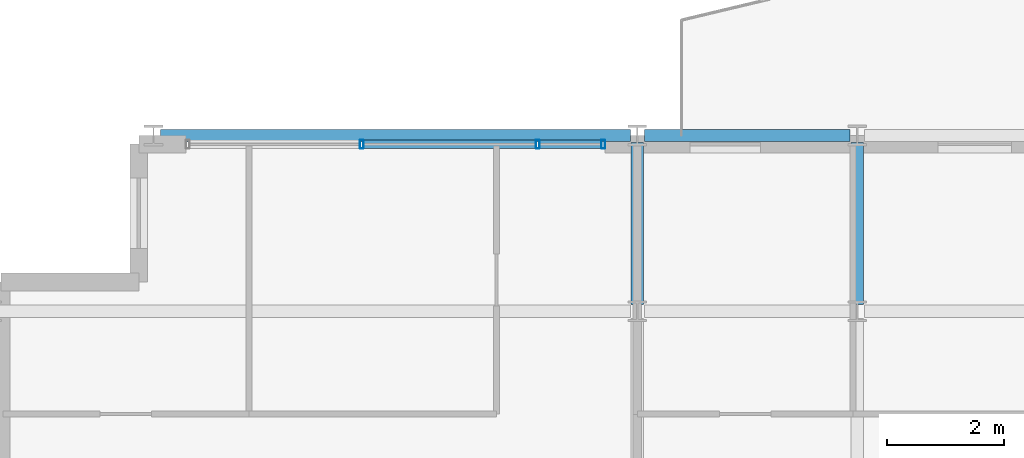
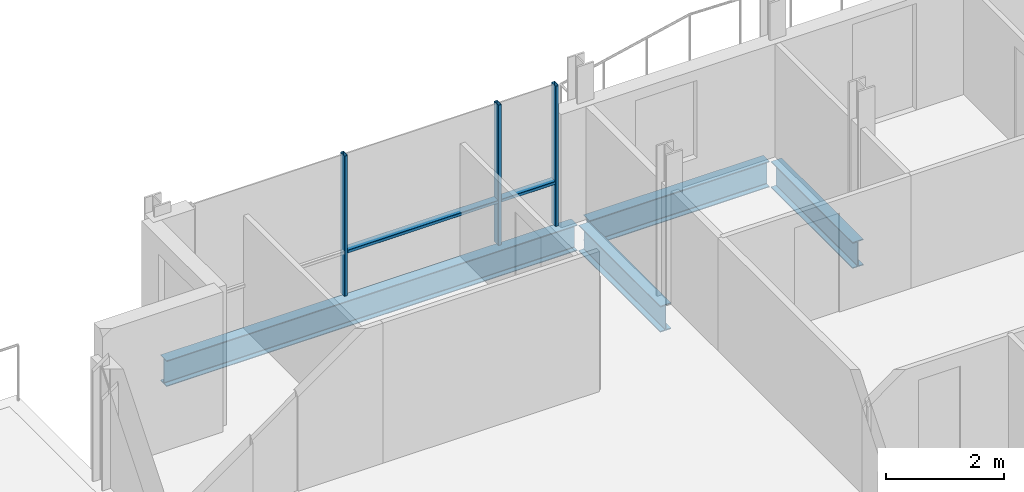
# One storey, part 7 of 17: 5 members, 4 beams, 1 element without a shape of its own.
"""IFC4 building model written with IfcOpenShell, lengths in metres."""

from ifc_helpers import new_model, si_unit, direction, frame, origin, origin_2d, place, context, subcontext, project, spatial, hollow_rectangle, i_section, extrude, material, layer, layer_set, material_profile, profile_set, type_object, element, aggregate, save


model = new_model("IFC4")

# Units and contexts
model_context = context("Model", 3, precision=1e-05, world=origin(), true_north=direction((0.0, 1.0)))
body_context = subcontext(model_context, "Body", "Model", "MODEL_VIEW")
ifc_project = project(units=[si_unit("LENGTHUNIT", "METRE"), si_unit("AREAUNIT", "SQUARE_METRE"), si_unit("VOLUMEUNIT", "CUBIC_METRE"), si_unit("PLANEANGLEUNIT", "RADIAN"), si_unit("MASSUNIT", "GRAM", prefix="KILO")], contexts=[model_context])

# Site, building, storey
site_placement = place(None, origin())
site = spatial("IfcSite", under=ifc_project, at=site_placement, CompositionType="ELEMENT")
building_placement = place(site_placement, origin())
building = spatial("IfcBuilding", under=site, at=building_placement, Name="Brevholm Reach", CompositionType="ELEMENT")
storey_placement = place(building_placement, frame((0.0, 0.0, 221.10009765625)))
storey = spatial("IfcBuildingStorey", under=building, at=storey_placement, Name="L67", CompositionType="ELEMENT", Elevation=221.10009765625)

# Beams
ifc_material_1 = material(Name="Structural Steel S355J2", Category="steel")
ifc_material_profile_1 = material_profile(ifc_material_1, i_section(OverallWidth=0.209228515625, OverallDepth=0.533203125, WebThickness=0.010009765625, FlangeThickness=0.015625, FilletRadius=0.0126953125, at=origin_2d()), Name="UKB 533x210x92")
ifc_profile_set_1 = profile_set([ifc_material_profile_1], Name="Structural Steel S355J2")
beam_type_1 = type_object("IfcBeamType", Name="BM-SP533", PredefinedType="SPANDREL", material=ifc_profile_set_1)
beam_1_placement = place(storey_placement, frame((30.1201171875, 26.5, -0.4765625), z_axis=(1.0, 0.0, 0.0), x_axis=(0.0, 1.0, 0.0)))
element("IfcBeam", 1, at=beam_1_placement, inside=storey, type_object=beam_type_1, Name="L67 SP-02 Framing Beam", PredefinedType="SPANDREL", context=body_context, shape_type="SweptSolid", body=[
    extrude(i_section(OverallWidth=0.209228515625, OverallDepth=0.533203125, WebThickness=0.010009765625, FlangeThickness=0.015625, FilletRadius=0.0126953125, at=origin_2d()), origin(), (0.0, 0.0, 1.0), 8.009765625),
])
beam_2_placement = place(storey_placement, frame((38.3701171875, 26.5, -0.4765625), z_axis=(1.0, 0.0, 0.0), x_axis=(0.0, 1.0, 0.0)))
element("IfcBeam", 2, at=beam_2_placement, inside=storey, type_object=beam_type_1, Name="L67 SP-02 Framing Beam", PredefinedType="SPANDREL", context=body_context, shape_type="SweptSolid", body=[
    extrude(i_section(OverallWidth=0.209228515625, OverallDepth=0.533203125, WebThickness=0.010009765625, FlangeThickness=0.015625, FilletRadius=0.0126953125, at=origin_2d()), origin(), (0.0, 0.0, 1.0), 3.509765625),
])
ifc_material_2 = material(Name="Structural Steel S355J2", Category="steel")
ifc_material_profile_2 = material_profile(ifc_material_2, i_section(OverallWidth=0.210693359375, OverallDepth=0.53955078125, WebThickness=0.01171875, FlangeThickness=0.018798828125, FilletRadius=0.0126953125, at=origin_2d()), Name="UKB 533x210x109")
ifc_profile_set_2 = profile_set([ifc_material_profile_2], Name="Structural Steel S355J2")
beam_type_2 = type_object("IfcBeamType", Name="BM-SP539", PredefinedType="SPANDREL", material=ifc_profile_set_2)
for number, where, z_axis, x_axis, name in (
    (3, (38.25, 23.6201171875, -0.479736328125), (0.0, 1.0, 0.0), (-1.0, 0.0, 0.0), "L67 SP-01B Framing Beam"),
    (4, (42.0, 23.6201171875, -0.479736328125), (0.0, 1.0, 0.0), (-1.0, 0.0, 0.0), "L67 SP-01B Framing Beam"),
):
    element("IfcBeam", number, at=place(storey_placement, frame(where, z_axis=z_axis, x_axis=x_axis)), inside=storey, type_object=beam_type_2, Name=name, PredefinedType="SPANDREL", context=body_context, shape_type="SweptSolid", body=[
        extrude(i_section(OverallWidth=0.210693359375, OverallDepth=0.53955078125, WebThickness=0.01171875, FlangeThickness=0.018798828125, FilletRadius=0.0126953125, at=origin_2d()), origin(), (0.0, 0.0, 1.0), 2.759765625),
    ])

# Curtain wall, members
ifc_material_3 = material(Name="Dark Anodised Aluminium 6063-T6 and Solar-Control Glass", Category="aluminium")
ifc_layer = layer(ifc_material_3, 0.14990234375)
ifc_layer_set = layer_set([ifc_layer], Name="Dark Anodised Aluminium 6063-T6 and Solar-Control Glass")
curtain_wall_type = type_object("IfcCurtainWallType", Name="CW-01", PredefinedType="NOTDEFINED", material=ifc_layer_set)
curtain_wall_placement = place(storey_placement, origin())
curtain_wall = element("IfcCurtainWall", 5, at=curtain_wall_placement, inside=storey, type_object=curtain_wall_type, Name="L67 Curtain Wall CW-01", PredefinedType="NOTDEFINED")
ifc_material_4 = material(Name="Dark Anodised Aluminium 6063-T6", Category="aluminium")
ifc_material_profile_3 = material_profile(ifc_material_4, hollow_rectangle(XDim=0.06494140625, YDim=0.14990234375, WallThickness=0.0048828125, InnerFilletRadius=0.0048828125, OuterFilletRadius=0.010009765625, at=origin_2d()), Name="RHS 150x65x5")
ifc_profile_set_3 = profile_set([ifc_material_profile_3], Name="Dark Anodised Aluminium 6063-T6")
member_type_1 = type_object("IfcMemberType", Name="CWM-150", PredefinedType="MULLION", material=ifc_profile_set_3)
member_1_placement = place(storey_placement, frame((33.550048828125, 26.35009765625, 0.0), z_axis=(0.0, 0.0, 1.0), x_axis=(1.0, 0.0, 0.0)))
member_1 = element("IfcMember", 6, at=member_1_placement, type_object=member_type_1, Name="CM-150 Mullion 2", PredefinedType="MULLION", context=body_context, shape_type="SweptSolid", body=[
    extrude(hollow_rectangle(XDim=0.06494140625, YDim=0.14990234375, WallThickness=0.0048828125, InnerFilletRadius=0.0048828125, OuterFilletRadius=0.010009765625, at=origin_2d()), origin(), (0.0, 0.0, 1.0), 2.889892578125),
])
member_2_placement = place(storey_placement, frame((36.550048828125, 26.35009765625, 0.0), z_axis=(0.0, 0.0, 1.0), x_axis=(1.0, 0.0, 0.0)))
member_2 = element("IfcMember", 7, at=member_2_placement, type_object=member_type_1, Name="CM-150 Mullion 3", PredefinedType="MULLION", context=body_context, shape_type="SweptSolid", body=[
    extrude(hollow_rectangle(XDim=0.06494140625, YDim=0.14990234375, WallThickness=0.0048828125, InnerFilletRadius=0.0048828125, OuterFilletRadius=0.010009765625, at=origin_2d()), origin(), (0.0, 0.0, 1.0), 2.889892578125),
])
member_3_placement = place(storey_placement, frame((37.66748046875, 26.35009765625, 0.0), z_axis=(0.0, 0.0, 1.0), x_axis=(1.0, 0.0, 0.0)))
member_3 = element("IfcMember", 8, at=member_3_placement, type_object=member_type_1, Name="CM-150 Mullion 4", PredefinedType="MULLION", context=body_context, shape_type="SweptSolid", body=[
    extrude(hollow_rectangle(XDim=0.06494140625, YDim=0.14990234375, WallThickness=0.0048828125, InnerFilletRadius=0.0048828125, OuterFilletRadius=0.010009765625, at=origin_2d()), origin(), (0.0, 0.0, 1.0), 2.889892578125),
])
ifc_material_5 = material(Name="Dark Anodised Aluminium 6063-T6", Category="aluminium")
ifc_material_profile_4 = material_profile(ifc_material_5, hollow_rectangle(XDim=0.06494140625, YDim=0.14990234375, WallThickness=0.0048828125, InnerFilletRadius=0.0048828125, OuterFilletRadius=0.010009765625, at=origin_2d()), Name="RHS 150x65x5")
ifc_profile_set_4 = profile_set([ifc_material_profile_4], Name="Dark Anodised Aluminium 6063-T6")
member_type_2 = type_object("IfcMemberType", Name="CWT-150", PredefinedType="NOTDEFINED", material=ifc_profile_set_4)
member_4_placement = place(storey_placement, frame((33.58251953125, 26.35009765625, 0.89990234375), z_axis=(1.0, 0.0, 0.0), x_axis=(0.0, 0.0, 1.0)))
member_4 = element("IfcMember", 9, at=member_4_placement, type_object=member_type_2, Name="CT-150 Transom 2.1", ObjectType="TRANSOM", PredefinedType="USERDEFINED", context=body_context, shape_type="SweptSolid", body=[
    extrude(hollow_rectangle(XDim=0.06494140625, YDim=0.14990234375, WallThickness=0.0048828125, InnerFilletRadius=0.0048828125, OuterFilletRadius=0.010009765625, at=origin_2d()), origin(), (0.0, 0.0, 1.0), 2.93505859375),
])
member_5_placement = place(storey_placement, frame((36.58251953125, 26.35009765625, 0.89990234375), z_axis=(1.0, 0.0, 0.0), x_axis=(0.0, 0.0, 1.0)))
member_5 = element("IfcMember", 10, at=member_5_placement, type_object=member_type_2, Name="CT-150 Transom 3.1", ObjectType="TRANSOM", PredefinedType="USERDEFINED", context=body_context, shape_type="SweptSolid", body=[
    extrude(hollow_rectangle(XDim=0.06494140625, YDim=0.14990234375, WallThickness=0.0048828125, InnerFilletRadius=0.0048828125, OuterFilletRadius=0.010009765625, at=origin_2d()), origin(), (0.0, 0.0, 1.0), 1.052490234375),
])
aggregate(curtain_wall, [member_1, member_2, member_3, member_4, member_5])

save(model, "model.ifc")
